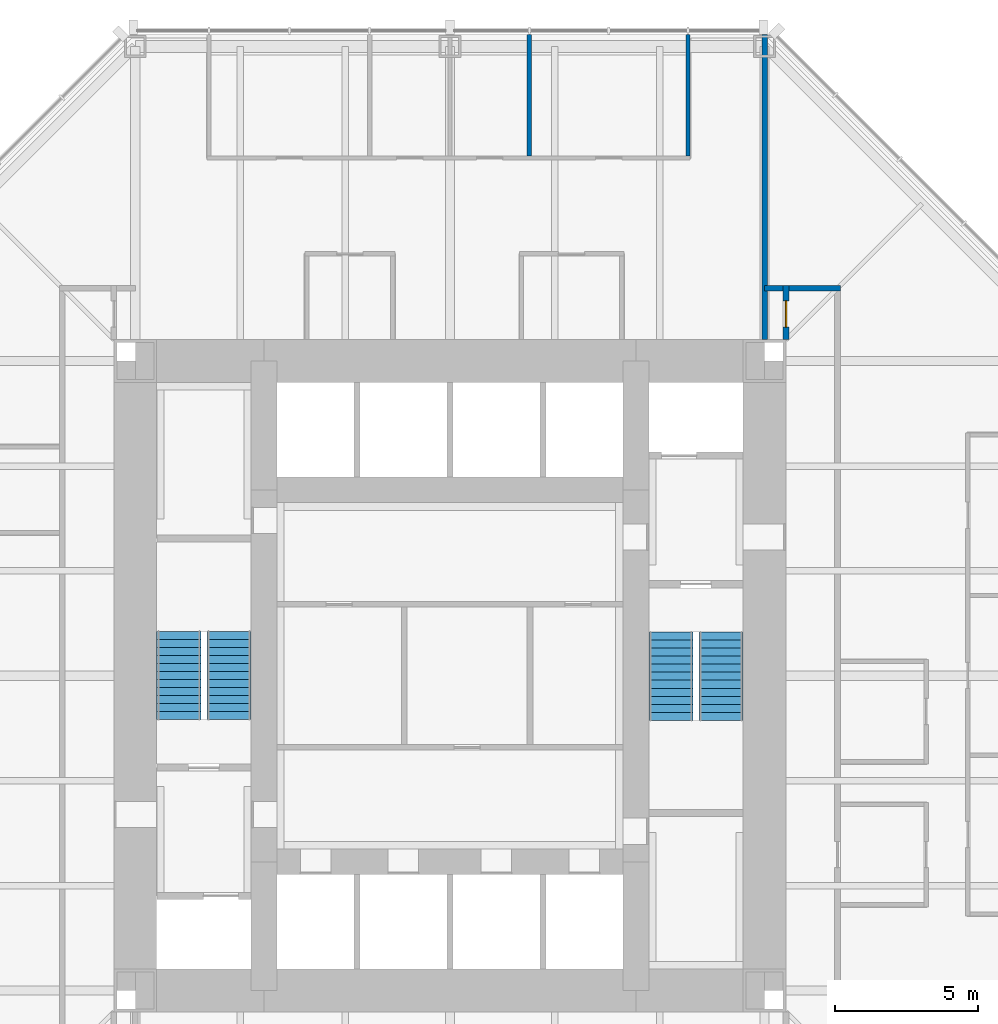
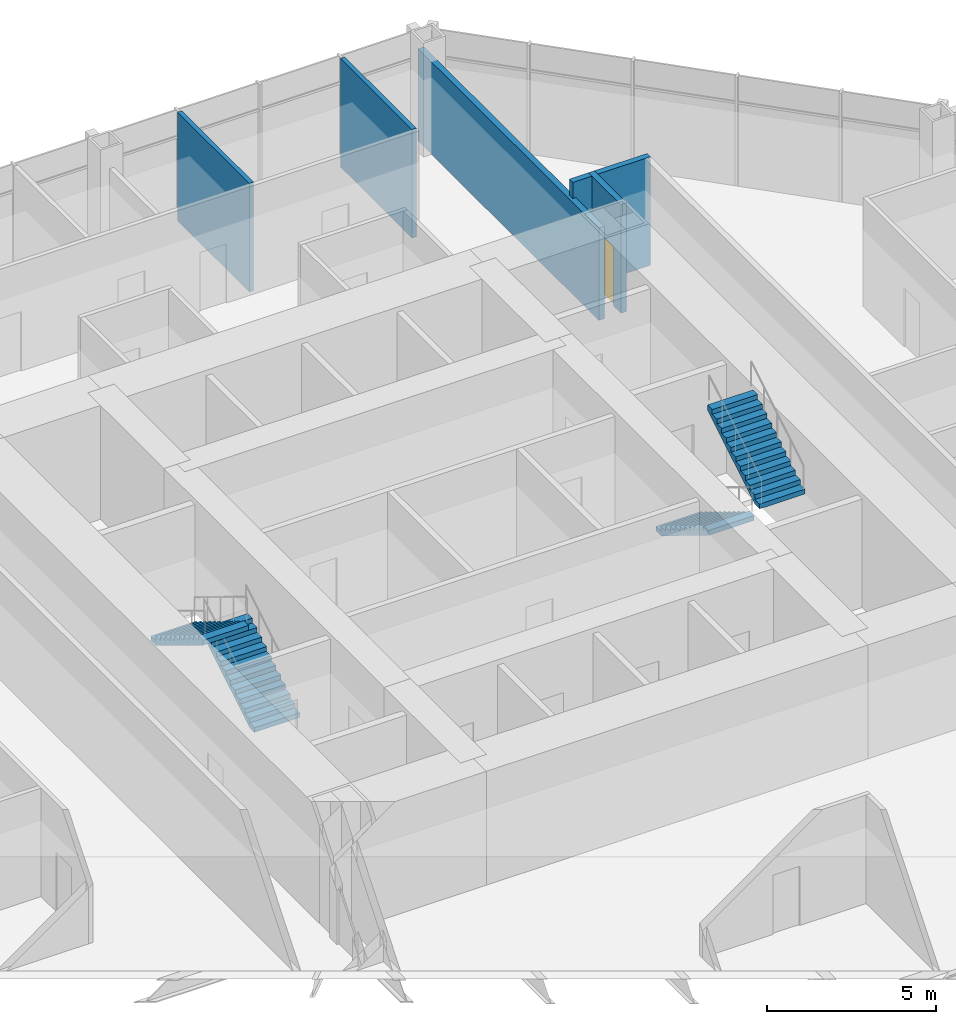
# One storey, part 11 of 12: 5 walls, 4 stair flights, 1 door, 1 opening, 2 elements without a shape of their own.
"""IFC4 building model written with IfcOpenShell, lengths in metres."""

from ifc_helpers import new_model, si_unit, direction, frame, frame_2d, origin, place, context, subcontext, project, spatial, polyline, rectangle, outline, extrude, material, layer, layer_set, type_object, element, fill, aggregate, save


model = new_model("IFC4")

# Units and contexts
model_context = context("Model", 3, precision=1e-05, world=origin(), true_north=direction((0.0, 1.0)))
body_context = subcontext(model_context, "Body", "Model", "MODEL_VIEW")
ifc_project = project(units=[si_unit("LENGTHUNIT", "METRE"), si_unit("AREAUNIT", "SQUARE_METRE"), si_unit("VOLUMEUNIT", "CUBIC_METRE"), si_unit("PLANEANGLEUNIT", "RADIAN"), si_unit("MASSUNIT", "GRAM", prefix="KILO")], contexts=[model_context])

# Site, building, storey
site_placement = place(None, origin())
site = spatial("IfcSite", under=ifc_project, at=site_placement, CompositionType="ELEMENT")
building_placement = place(site_placement, origin())
building = spatial("IfcBuilding", under=site, at=building_placement, Name="Trevanion Tower", CompositionType="ELEMENT")
storey_placement = place(building_placement, frame((0.0, 0.0, 125.39990234375)))
storey = spatial("IfcBuildingStorey", under=building, at=storey_placement, Name="L29", CompositionType="ELEMENT", Elevation=125.39990234375)

# Walls
ifc_material_1 = material(Name="Gypsum board on steel studs", Category="steel")
ifc_layer_1 = layer(ifc_material_1, 0.14990234375)
ifc_layer_set_1 = layer_set([ifc_layer_1], Name="PT1 partition 150")
wall_type_1 = type_object("IfcWallType", Name="PT1 partition 150", PredefinedType="PARTITIONING", material=ifc_layer_set_1)
for number, where, z_axis, x_axis, name in (
    (1, (8.322998046875, 18.175048828125, 0.0), (0.0, 0.0, 1.0), (0.0, 1.0, 0.0), "PT1 L29 FC1S0"),
    (2, (2.77490234375, 18.175048828125, 0.0), (0.0, 0.0, 1.0), (0.0, 1.0, 0.0), "PT1 L29 FC1S2"),
):
    element("IfcWall", number, at=place(storey_placement, frame(where, z_axis=z_axis, x_axis=x_axis)), inside=storey, type_object=wall_type_1, Name=name, PredefinedType="PARTITIONING", context=body_context, shape_type="SweptSolid", body=[
        extrude(rectangle(XDim=4.239990234375, YDim=0.14990234375, at=frame_2d((2.1201171875, 0.0))), origin(), (0.0, 0.0, 1.0), 3.91015625),
    ])

# Wall, opening, door
ifc_material_2 = material(Name="Concrete masonry, grouted", Category="masonry")
ifc_layer_2 = layer(ifc_material_2, 0.199951171875)
ifc_layer_set_2 = layer_set([ifc_layer_2], Name="PT2 partition 200 1 HR")
wall_type_2 = type_object("IfcWallType", Name="PT2 partition 200 1 HR", PredefinedType="PARTITIONING", material=ifc_layer_set_2)
wall_1_placement = place(storey_placement, frame((11.75, 11.75, 0.0), z_axis=(0.0, 0.0, 1.0), x_axis=(0.0, 1.0, 0.0)))
wall_1 = element("IfcWall", 3, at=wall_1_placement, inside=storey, type_object=wall_type_2, Name="PT2 L29 OUNE1", PredefinedType="PARTITIONING", context=body_context, shape_type="SweptSolid", body=[
    extrude(rectangle(XDim=1.89990234375, YDim=0.199951171875, at=frame_2d((0.949951171875, 0.0))), origin(), (0.0, 0.0, 1.0), 3.91015625),
])
opening_placement = place(wall_1_placement, frame((0.4423828125, 0.0, 0.0)))
opening = element("IfcOpeningElement", 4, at=opening_placement, cuts=wall_1, Name="Opening 29-018", PredefinedType="OPENING", context=body_context, shape_type="SweptSolid", body=[
    extrude(rectangle(XDim=0.9150390625, YDim=2.134033203125, at=frame_2d((0.45751953125, 1.06689453125))), frame((0.0, 0.10986328125, 0.0), z_axis=(0.0, -1.0, 0.0), x_axis=(1.0, 0.0, 0.0)), (0.0, 0.0, 1.0), 0.219970703125),
])
ifc_material_3 = material(Name="Timber veneer, fire rated", Category="wood")
door_type = type_object("IfcDoorType", Name="D10 office door in a one hour wall", OperationType="SINGLE_SWING_LEFT", PredefinedType="DOOR", material=ifc_material_3)
door_placement = place(opening_placement, frame((0.9150390625, 0.0, 0.0), z_axis=(0.0, 0.0, 1.0), x_axis=(-1.0, 0.0, 0.0)))
door = element("IfcDoor", 5, at=door_placement, inside=storey, type_object=door_type, Name="Door 29-018", OperationType="SINGLE_SWING_LEFT", OverallHeight=2.134033203125, OverallWidth=0.9150390625, PredefinedType="DOOR", context=body_context, shape_type="SweptSolid", body=[
    extrude(rectangle(XDim=0.9150390625, YDim=2.134033203125, at=frame_2d((0.45751953125, 1.06689453125))), frame((0.0, 0.02490234375, 0.0), z_axis=(0.0, -1.0, 0.0), x_axis=(1.0, 0.0, 0.0)), (0.0, 0.0, 1.0), 0.050048828125),
])
fill(opening, door)

# Walls
wall_2_placement = place(storey_placement, frame((11.0, 13.550048828125, 0.0), z_axis=(0.0, 0.0, 1.0), x_axis=(1.0, 0.0, 0.0)))
element("IfcWall", 6, at=wall_2_placement, inside=storey, type_object=wall_type_2, Name="PT2 L29 OUNE2", PredefinedType="PARTITIONING", context=body_context, shape_type="SweptSolid", body=[
    extrude(rectangle(XDim=2.64990234375, YDim=0.199951171875, at=frame_2d((1.324951171875, 0.0))), origin(), (0.0, 0.0, 1.0), 3.91015625),
])
wall_3_placement = place(storey_placement, frame((11.0, 11.75, 0.0), z_axis=(0.0, 0.0, 1.0), x_axis=(0.0, 1.0, 0.0)))
element("IfcWall", 7, at=wall_3_placement, inside=storey, type_object=wall_type_2, Name="PT2 L29 DM0", PredefinedType="PARTITIONING", context=body_context, shape_type="SweptSolid", body=[
    extrude(rectangle(XDim=10.6650390625, YDim=0.199951171875, at=frame_2d((5.33251953125, 0.0))), origin(), (0.0, 0.0, 1.0), 3.325927734375),
])

# Stair, stair flights
ifc_material_4 = material(Name="Concrete 5,000 psi on steel stringers", Category="concrete")
stair_type = type_object("IfcStairType", Name="ST stair", PredefinedType="HALF_TURN_STAIR", material=ifc_material_4)
stair_1_placement = place(storey_placement, origin())
stair_1 = element("IfcStair", 8, at=stair_1_placement, inside=storey, type_object=stair_type, Name="ST1 L29", PredefinedType="HALF_TURN_STAIR")
ifc_material_5 = material(Name="Concrete 5,000 psi in steel pan", Category="concrete")
stair_flight_type = type_object("IfcStairFlightType", Name="STF stair flight", PredefinedType="STRAIGHT", material=ifc_material_5)
stair_flight_1_placement = place(storey_placement, frame((7.72509765625, 1.52490234375, 0.0), z_axis=(0.0, 0.0, 1.0), x_axis=(0.0, -1.0, 0.0)))
stair_flight_1 = element("IfcStairFlight", 9, at=stair_flight_1_placement, type_object=stair_flight_type, Name="ST1 flight 1", NumberOfRisers=12, NumberOfTreads=11, PredefinedType="STRAIGHT", RiserHeight=0.170833333, TreadLength=0.28, context=body_context, shape_type="SweptSolid", body=[
    extrude(outline(polyline([(0.0, 0.0), (0.0, 0.1708984375), (0.280029296875, 0.1708984375), (0.280029296875, 0.341552734375), (0.56005859375, 0.341552734375), (0.56005859375, 0.512451171875), (0.840087890625, 0.512451171875), (0.840087890625, 0.683349609375), (1.1201171875, 0.683349609375), (1.1201171875, 0.854248046875), (1.39990234375, 0.854248046875), (1.39990234375, 1.02490234375), (1.679931640625, 1.02490234375), (1.679931640625, 1.19580078125), (1.9599609375, 1.19580078125), (1.9599609375, 1.36669921875), (2.239990234375, 1.36669921875), (2.239990234375, 1.53759765625), (2.52001953125, 1.53759765625), (2.52001953125, 1.708251953125), (2.800048828125, 1.708251953125), (2.800048828125, 1.879150390625), (3.080078125, 1.879150390625), (3.080078125, 2.050048828125), (3.080078125, 1.70361328125), (0.287841796875, 0.0), (0.0, 0.0)])), frame((0.0, 0.77490234375, 0.0), z_axis=(0.0, -1.0, 0.0), x_axis=(1.0, 0.0, 0.0)), (0.0, 0.0, 1.0), 1.550048828125),
])
stair_flight_2_placement = place(storey_placement, frame((9.47509765625, -1.554931640625, 2.050048828125), z_axis=(0.0, 0.0, 1.0), x_axis=(0.0, 1.0, 0.0)))
stair_flight_2 = element("IfcStairFlight", 10, at=stair_flight_2_placement, type_object=stair_flight_type, Name="ST1 flight 2", NumberOfRisers=12, NumberOfTreads=11, PredefinedType="STRAIGHT", RiserHeight=0.170833333, TreadLength=0.28, context=body_context, shape_type="SweptSolid", body=[
    extrude(outline(polyline([(0.0, 0.0), (0.0, 0.1708984375), (0.280029296875, 0.1708984375), (0.280029296875, 0.341552734375), (0.56005859375, 0.341552734375), (0.56005859375, 0.512451171875), (0.840087890625, 0.512451171875), (0.840087890625, 0.683349609375), (1.1201171875, 0.683349609375), (1.1201171875, 0.854248046875), (1.39990234375, 0.854248046875), (1.39990234375, 1.02490234375), (1.679931640625, 1.02490234375), (1.679931640625, 1.19580078125), (1.9599609375, 1.19580078125), (1.9599609375, 1.36669921875), (2.239990234375, 1.36669921875), (2.239990234375, 1.53759765625), (2.52001953125, 1.53759765625), (2.52001953125, 1.708251953125), (2.800048828125, 1.708251953125), (2.800048828125, 1.879150390625), (3.080078125, 1.879150390625), (3.080078125, 2.050048828125), (3.080078125, 1.70361328125), (0.287841796875, 0.0), (0.0, 0.0)])), frame((0.0, 0.77490234375, 0.0), z_axis=(0.0, -1.0, 0.0), x_axis=(1.0, 0.0, 0.0)), (0.0, 0.0, 1.0), 1.550048828125),
])
aggregate(stair_1, [stair_flight_1, stair_flight_2])

stair_2_placement = place(storey_placement, origin())
stair_2 = element("IfcStair", 11, at=stair_2_placement, inside=storey, type_object=stair_type, Name="ST2 L29", PredefinedType="HALF_TURN_STAIR")
stair_flight_3_placement = place(storey_placement, frame((-7.72509765625, -1.52490234375, 0.0), z_axis=(0.0, 0.0, 1.0), x_axis=(0.0, 1.0, 0.0)))
stair_flight_3 = element("IfcStairFlight", 12, at=stair_flight_3_placement, type_object=stair_flight_type, Name="ST2 flight 1", NumberOfRisers=12, NumberOfTreads=11, PredefinedType="STRAIGHT", RiserHeight=0.170833333, TreadLength=0.28, context=body_context, shape_type="SweptSolid", body=[
    extrude(outline(polyline([(0.0, 0.0), (0.0, 0.1708984375), (0.280029296875, 0.1708984375), (0.280029296875, 0.341552734375), (0.56005859375, 0.341552734375), (0.56005859375, 0.512451171875), (0.840087890625, 0.512451171875), (0.840087890625, 0.683349609375), (1.1201171875, 0.683349609375), (1.1201171875, 0.854248046875), (1.39990234375, 0.854248046875), (1.39990234375, 1.02490234375), (1.679931640625, 1.02490234375), (1.679931640625, 1.19580078125), (1.9599609375, 1.19580078125), (1.9599609375, 1.36669921875), (2.239990234375, 1.36669921875), (2.239990234375, 1.53759765625), (2.52001953125, 1.53759765625), (2.52001953125, 1.708251953125), (2.800048828125, 1.708251953125), (2.800048828125, 1.879150390625), (3.080078125, 1.879150390625), (3.080078125, 2.050048828125), (3.080078125, 1.70361328125), (0.287841796875, 0.0), (0.0, 0.0)])), frame((0.0, 0.77490234375, 0.0), z_axis=(0.0, -1.0, 0.0), x_axis=(1.0, 0.0, 0.0)), (0.0, 0.0, 1.0), 1.550048828125),
])
stair_flight_4_placement = place(storey_placement, frame((-9.47509765625, 1.554931640625, 2.050048828125), z_axis=(0.0, 0.0, 1.0), x_axis=(0.0, -1.0, 0.0)))
stair_flight_4 = element("IfcStairFlight", 13, at=stair_flight_4_placement, type_object=stair_flight_type, Name="ST2 flight 2", NumberOfRisers=12, NumberOfTreads=11, PredefinedType="STRAIGHT", RiserHeight=0.170833333, TreadLength=0.28, context=body_context, shape_type="SweptSolid", body=[
    extrude(outline(polyline([(0.0, 0.0), (0.0, 0.1708984375), (0.280029296875, 0.1708984375), (0.280029296875, 0.341552734375), (0.56005859375, 0.341552734375), (0.56005859375, 0.512451171875), (0.840087890625, 0.512451171875), (0.840087890625, 0.683349609375), (1.1201171875, 0.683349609375), (1.1201171875, 0.854248046875), (1.39990234375, 0.854248046875), (1.39990234375, 1.02490234375), (1.679931640625, 1.02490234375), (1.679931640625, 1.19580078125), (1.9599609375, 1.19580078125), (1.9599609375, 1.36669921875), (2.239990234375, 1.36669921875), (2.239990234375, 1.53759765625), (2.52001953125, 1.53759765625), (2.52001953125, 1.708251953125), (2.800048828125, 1.708251953125), (2.800048828125, 1.879150390625), (3.080078125, 1.879150390625), (3.080078125, 2.050048828125), (3.080078125, 1.70361328125), (0.287841796875, 0.0), (0.0, 0.0)])), frame((0.0, 0.77490234375, 0.0), z_axis=(0.0, -1.0, 0.0), x_axis=(1.0, 0.0, 0.0)), (0.0, 0.0, 1.0), 1.550048828125),
])
aggregate(stair_2, [stair_flight_3, stair_flight_4])

save(model, "model.ifc")
